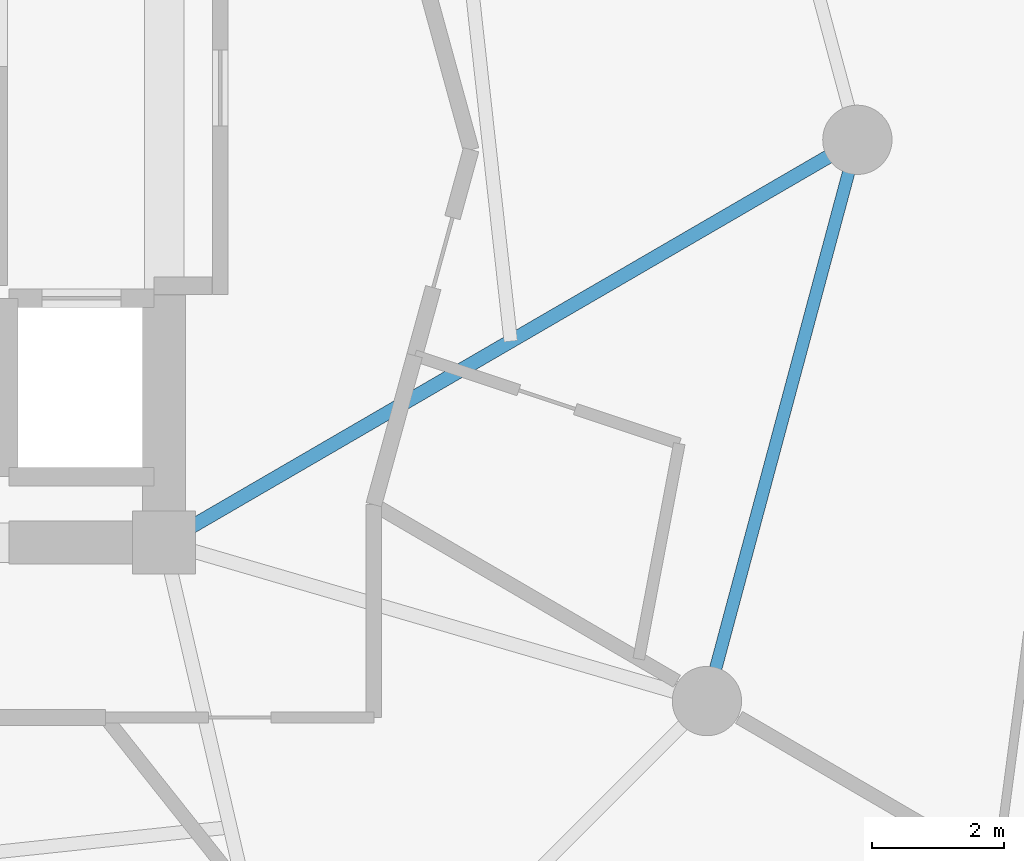
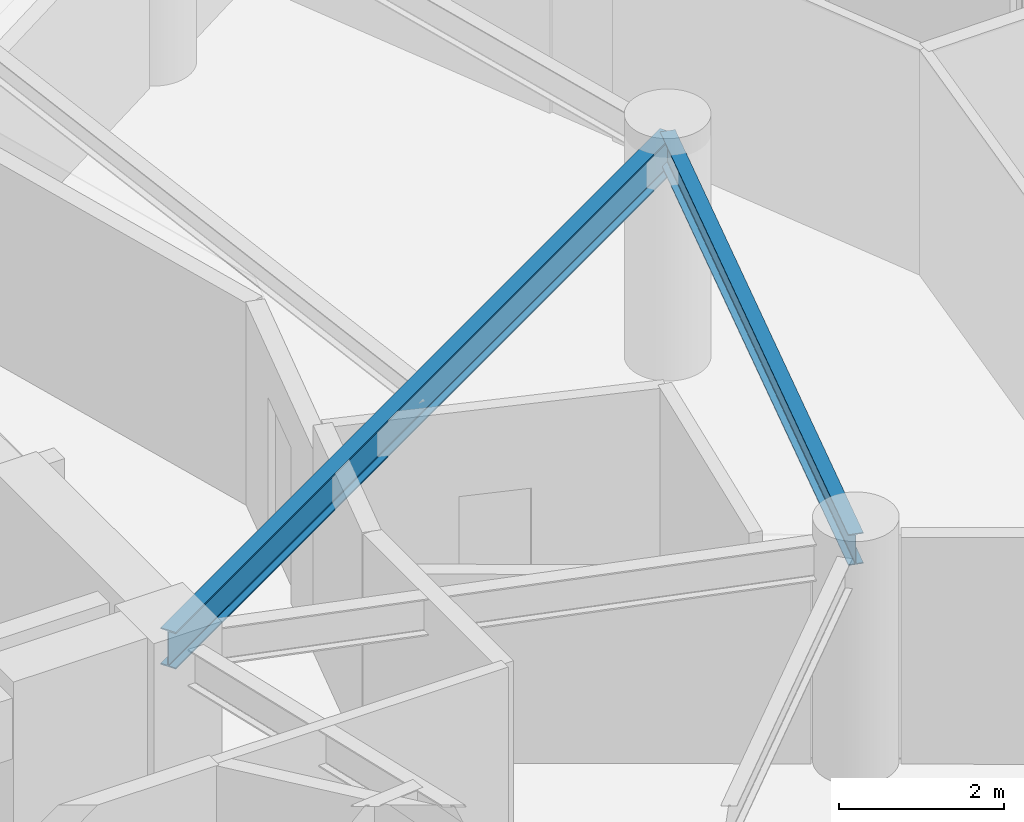
# One storey, part 10 of 22: 2 beams.
"""IFC4 building model written with IfcOpenShell, lengths in metres."""

import ifcopenshell
import ifcopenshell.guid

model = None  # the IFC model being written
_history = None  # IfcOwnerHistory: only IFC2X3 demands one
_inside = {}  # id of a spatial element -> (the spatial element, [elements in it])
_under = {}  # id of a project, library or spatial element -> (it, [spatial elements below it])
_declared = {}  # id of a project -> (the project, [libraries it declares])
_typed = {}  # id of a type object -> (the type object, [elements of that type])
_made_of = {}  # id of a material, layer set ... -> (it, [elements and type objects made of it])


def new_model(schema):
    """Start an empty IFC model of exactly this schema.

    Asked for "IFC4X3", IfcOpenShell would pick the latest addendum, in which some entities
    have other attributes; the version numbers below select the first issue.
    IFC2X3 requires an IfcOwnerHistory on every rooted entity: one is made here for all.
    """
    global model, _history
    if schema == "IFC4X3":
        model = ifcopenshell.file(schema_version=(4, 3, 0, 0))
    else:
        model = ifcopenshell.file(schema=schema)
    _inside.clear()
    _under.clear()
    _declared.clear()
    _typed.clear()
    _made_of.clear()
    _history = None
    if model.schema == "IFC2X3":
        org = make("IfcOrganization", Name="unknown")
        user = make(
            "IfcPersonAndOrganization",
            ThePerson=make("IfcPerson", FamilyName="unknown"),
            TheOrganization=org,
        )
        app = make(
            "IfcApplication",
            ApplicationDeveloper=org,
            Version="unknown",
            ApplicationFullName="unknown",
            ApplicationIdentifier="unknown",
        )
        _history = make(
            "IfcOwnerHistory",
            OwningUser=user,
            OwningApplication=app,
            ChangeAction="ADDED",
            CreationDate=0,
        )
    return model


def make(cls, **values):
    """One entity of the class cls with the attributes given. An attribute that is None is left unset."""
    return model.create_entity(
        cls, **{name: value for name, value in values.items() if value is not None}
    )


def rooted(cls, **values):
    """An entity with a GlobalId (a new one), such as an element, a storey or a relation."""
    return make(cls, GlobalId=ifcopenshell.guid.new(), OwnerHistory=_history, **values)


def si_unit(unit_type, name, prefix=None):
    """IfcSIUnit, for example si_unit("LENGTHUNIT", "METRE", prefix="MILLI")."""
    return make("IfcSIUnit", UnitType=unit_type, Prefix=prefix, Name=name)


def assignment(units):
    """IfcUnitAssignment: the units of a project."""
    return None if units is None else make("IfcUnitAssignment", Units=units)


def point(xyz):
    """IfcCartesianPoint."""
    return None if xyz is None else make("IfcCartesianPoint", Coordinates=xyz)


def direction(xyz):
    """IfcDirection."""
    return None if xyz is None else make("IfcDirection", DirectionRatios=xyz)


def frame(location, z_axis=None, x_axis=None):
    """IfcAxis2Placement3D, a coordinate frame: its origin and axes. An axis left out is left unset."""
    return make(
        "IfcAxis2Placement3D",
        Location=point(location),
        Axis=direction(z_axis),
        RefDirection=direction(x_axis),
    )


def frame_2d(location, x_axis=None):
    """IfcAxis2Placement2D, a coordinate frame in the plane: its origin and x axis."""
    return make(
        "IfcAxis2Placement2D", Location=point(location), RefDirection=direction(x_axis)
    )


def origin():
    """The frame at (0, 0, 0) with its axes left unset."""
    return frame((0.0, 0.0, 0.0))


def origin_2d():
    """The frame at (0, 0) in the plane with its x axis left unset."""
    return frame_2d((0.0, 0.0))


def place(relative_to, where):
    """IfcLocalPlacement: puts the frame where relative to a parent placement (None: the world)."""
    return make(
        "IfcLocalPlacement", PlacementRelTo=relative_to, RelativePlacement=where
    )


def context(
    kind, dimensions, precision=None, world=None, true_north=None, identifier=None
):
    """IfcGeometricRepresentationContext, for example the 3D "Model" context."""
    return make(
        "IfcGeometricRepresentationContext",
        ContextIdentifier=identifier,
        ContextType=kind,
        CoordinateSpaceDimension=dimensions,
        Precision=precision,
        WorldCoordinateSystem=world,
        TrueNorth=true_north,
    )


def subcontext(parent, identifier, kind, view, scale=None):
    """IfcGeometricRepresentationSubContext, for example "Body" below "Model"."""
    return make(
        "IfcGeometricRepresentationSubContext",
        ContextIdentifier=identifier,
        ContextType=kind,
        ParentContext=parent,
        TargetScale=scale,
        TargetView=view,
    )


def project(units=None, contexts=None):
    """IfcProject with its units and contexts."""
    return rooted(
        "IfcProject",
        Name="project",
        RepresentationContexts=contexts,
        UnitsInContext=assignment(units),
    )


def spatial(cls, under=None, at=None, **own):
    """A site, building, storey or space (cls), placed at a placement, below another one or the project."""
    s = rooted(cls, ObjectPlacement=at, **own)
    if under is not None:
        _under.setdefault(under.id(), (under, []))[1].append(s)
    return s


def profile(cls, at=None, kind="AREA", **sizes):
    """A parametric profile (cls). Its sizes go by their IFC names, for example OverallWidth=200.0."""
    return make(cls, ProfileType=kind, Position=at, **sizes)


def i_section(**sizes):
    """IfcIShapeProfileDef."""
    return profile("IfcIShapeProfileDef", **sizes)


def extrude(swept, where, along, depth):
    """IfcExtrudedAreaSolid: the profile swept, set in the frame where, extruded along a direction by depth."""
    return make(
        "IfcExtrudedAreaSolid",
        SweptArea=swept,
        Position=where,
        ExtrudedDirection=direction(along),
        Depth=depth,
    )


def shape(context_of_items, identifier, shape_type, items):
    """IfcShapeRepresentation: the items that make up one representation, for example the "Body"."""
    return make(
        "IfcShapeRepresentation",
        ContextOfItems=context_of_items,
        RepresentationIdentifier=identifier,
        RepresentationType=shape_type,
        Items=items,
    )


def material(Name=None, Category=None):
    """IfcMaterial."""
    return make("IfcMaterial", Name=Name, Category=Category)


def material_profile(
    of_material, cross_section, Name=None, Category=None, Priority=None
):
    """IfcMaterialProfile: a cross section and its material."""
    return make(
        "IfcMaterialProfile",
        Name=Name,
        Material=of_material,
        Profile=cross_section,
        Priority=Priority,
        Category=Category,
    )


def profile_set(profiles, Name=None, composite=None):
    """IfcMaterialProfileSet."""
    return make(
        "IfcMaterialProfileSet",
        Name=Name,
        MaterialProfiles=profiles,
        CompositeProfile=composite,
    )


def made_of(thing, what):
    """Note that an element or type object is made of a material, layer set ...; save() writes the relation."""
    if what is not None:
        _made_of.setdefault(what.id(), (what, []))[1].append(thing)
    return thing


def type_object(cls, material=None, **own):
    """A type object (cls), such as IfcWallType, which elements share."""
    return made_of(rooted(cls, **own), material)


def element(
    cls,
    number,
    at=None,
    inside=None,
    cuts=None,
    type_object=None,
    material=None,
    context=None,
    identifier="Body",
    shape_type=None,
    held_by="IfcProductDefinitionShape",
    body=None,
    shapes=None,
    **own,
):
    """One element of the class cls, such as IfcWall. Its Tag is "e" and its number.

    at: its placement. inside: the storey or other place that contains it. cuts: it is an
    opening in that element (IfcRelVoidsElement). A single representation is given by context,
    identifier, shape_type and body (its items); several are given by shapes. held_by: the class
    of the entity that holds the representations. save() writes the other relations.
    """
    e = rooted(cls, Tag="e%d" % number, ObjectPlacement=at, **own)
    if body is not None:
        shapes = [shape(context, identifier, shape_type, body)]
    if shapes is not None:
        e.Representation = make(held_by, Representations=shapes)
    if inside is not None:
        _inside.setdefault(inside.id(), (inside, []))[1].append(e)
    if cuts is not None:
        rooted(
            "IfcRelVoidsElement", RelatingBuildingElement=cuts, RelatedOpeningElement=e
        )
    if type_object is not None:
        _typed.setdefault(type_object.id(), (type_object, []))[1].append(e)
    return made_of(e, material)


def aggregate(whole, parts):
    """IfcRelAggregates: a whole, such as a stair, and the parts it consists of."""
    return rooted("IfcRelAggregates", RelatingObject=whole, RelatedObjects=parts)


def save(model, path):
    """Write the relations noted so far, then the file.

    IfcRelAggregates (storeys below a building ...), IfcRelContainedInSpatialStructure (elements
    in a storey), IfcRelDefinesByType, IfcRelAssociatesMaterial and IfcRelDeclares: one each for
    every whole, place, type object, material and project.
    """
    for whole, parts in _under.values():
        aggregate(whole, parts)
    for where, things in _inside.values():
        rooted(
            "IfcRelContainedInSpatialStructure",
            RelatedElements=things,
            RelatingStructure=where,
        )
    for kind, things in _typed.values():
        rooted("IfcRelDefinesByType", RelatedObjects=things, RelatingType=kind)
    for what, things in _made_of.values():
        rooted("IfcRelAssociatesMaterial", RelatedObjects=things, RelatingMaterial=what)
    for by, libraries in _declared.values():
        rooted("IfcRelDeclares", RelatingContext=by, RelatedDefinitions=libraries)
    model.write(path)


model = new_model("IFC4")

# Units and contexts
model_context = context("Model", 3, precision=1e-05, world=origin(), true_north=direction((0.0, 1.0)))
body_context = subcontext(model_context, "Body", "Model", "MODEL_VIEW")
ifc_project = project(units=[si_unit("LENGTHUNIT", "METRE"), si_unit("AREAUNIT", "SQUARE_METRE"), si_unit("VOLUMEUNIT", "CUBIC_METRE"), si_unit("PLANEANGLEUNIT", "RADIAN"), si_unit("MASSUNIT", "GRAM", prefix="KILO")], contexts=[model_context])

# Site, building, storey
site_placement = place(None, origin())
site = spatial("IfcSite", under=ifc_project, at=site_placement, CompositionType="ELEMENT")
building_placement = place(site_placement, origin())
building = spatial("IfcBuilding", under=site, at=building_placement, Name="Solvirekh Grand Hotel", CompositionType="ELEMENT")
storey_placement = place(building_placement, frame((0.0, 0.0, 145.800048828125)))
storey = spatial("IfcBuildingStorey", under=building, at=storey_placement, Name="L37", CompositionType="ELEMENT", Elevation=145.800048828125)

# Beams
ifc_material = material(Name="Steel S355", Category="steel")
ifc_material_profile_1 = material_profile(ifc_material, i_section(OverallWidth=0.2119140625, OverallDepth=0.5439453125, WebThickness=0.011962890625, FlangeThickness=0.01904296875, FilletRadius=0.013916015625, at=origin_2d()), Name="W530X123")
ifc_profile_set_1 = profile_set([ifc_material_profile_1], Name="Steel S355")
beam_type_1 = type_object("IfcBeamType", Name="Beam_Radial_W530H", PredefinedType="BEAM", material=ifc_profile_set_1)
beam_1_placement = place(storey_placement, frame((6.5, -6.10009765625, 3.077880859375), z_axis=(0.864670076815, 0.50234018181, 0.0), x_axis=(-0.50234018181, 0.864670076815, 0.0)))
element("IfcBeam", 1, at=beam_1_placement, inside=storey, type_object=beam_type_1, Name="L37 radial floor beam R01", PredefinedType="BEAM", context=body_context, shape_type="SweptSolid", body=[
    extrude(i_section(OverallWidth=0.2119140625, OverallDepth=0.5439453125, WebThickness=0.011962890625, FlangeThickness=0.01904296875, FilletRadius=0.013916015625, at=origin_2d()), origin(), (0.0, 0.0, 1.0), 12.143310546875),
])
ifc_material_profile_2 = material_profile(ifc_material, i_section(OverallWidth=0.18994140625, OverallDepth=0.45703125, WebThickness=0.009033203125, FlangeThickness=0.013916015625, FilletRadius=0.012939453125, at=origin_2d()), Name="W460X74")
ifc_profile_set_2 = profile_set([ifc_material_profile_2], Name="Steel S355")
beam_type_2 = type_object("IfcBeamType", Name="Spandrel_Ring_W460", PredefinedType="SPANDREL", material=ifc_profile_set_2)
beam_2_placement = place(storey_placement, frame((14.721923828125, -8.5, 3.1220703125), z_axis=(0.258872908946, 0.965911391906, 0.0), x_axis=(-0.965911391906, 0.258872908946, 0.0)))
element("IfcBeam", 2, at=beam_2_placement, inside=storey, type_object=beam_type_2, Name="L37 perimeter spandrel beam 12", PredefinedType="SPANDREL", context=body_context, shape_type="SweptSolid", body=[
    extrude(i_section(OverallWidth=0.18994140625, OverallDepth=0.45703125, WebThickness=0.009033203125, FlangeThickness=0.013916015625, FilletRadius=0.012939453125, at=origin_2d()), origin(), (0.0, 0.0, 1.0), 8.800048828125),
])

save(model, "model.ifc")
